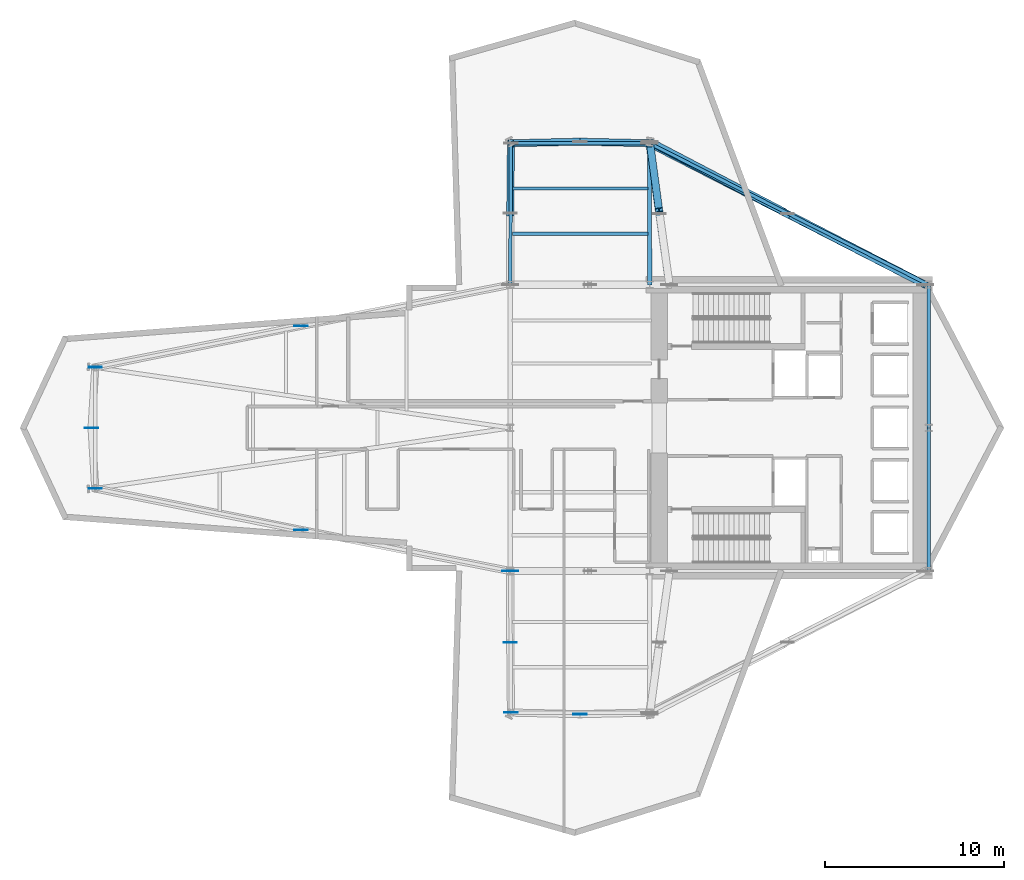
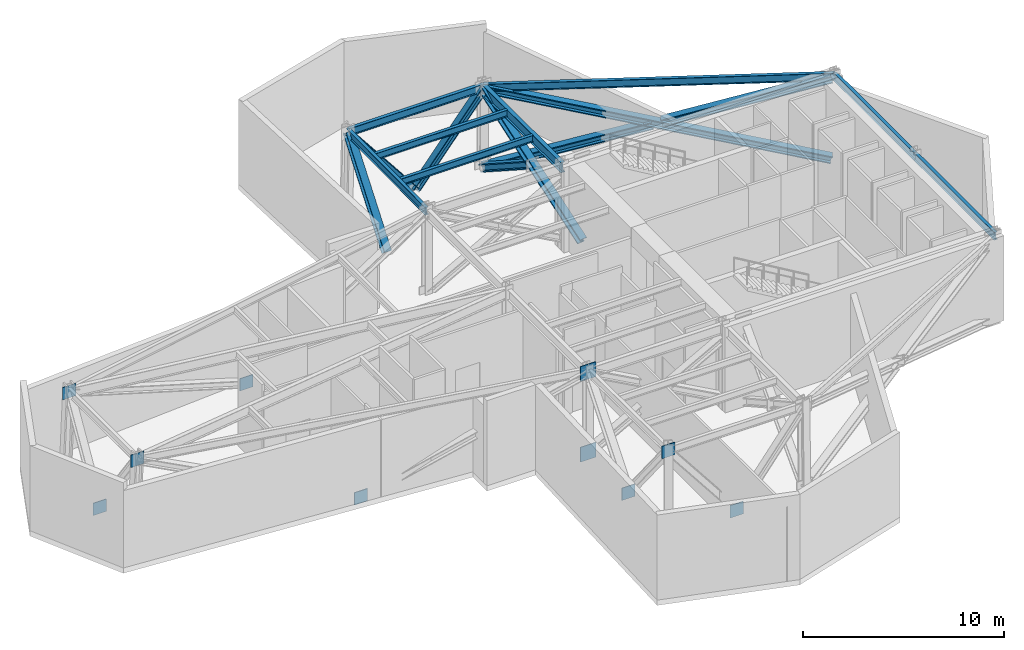
# One storey, part 2 of 7: 10 plates, 8 beams, 8 members.
"""IFC4 building model written with IfcOpenShell, lengths in metres."""

from ifc_helpers import new_model, si_unit, direction, frame, origin, origin_2d, place, context, subcontext, project, spatial, rectangle, i_section, extrude, material, layer, layer_set, material_profile, profile_set, type_object, element, save


model = new_model("IFC4")

# Units and contexts
model_context = context("Model", 3, precision=1e-05, world=origin(), true_north=direction((0.0, 1.0)))
body_context = subcontext(model_context, "Body", "Model", "MODEL_VIEW")
ifc_project = project(units=[si_unit("LENGTHUNIT", "METRE"), si_unit("AREAUNIT", "SQUARE_METRE"), si_unit("VOLUMEUNIT", "CUBIC_METRE"), si_unit("PLANEANGLEUNIT", "RADIAN"), si_unit("MASSUNIT", "GRAM", prefix="KILO")], contexts=[model_context])

# Site, building, storey
site_placement = place(None, origin())
site = spatial("IfcSite", under=ifc_project, at=site_placement, CompositionType="ELEMENT")
building_placement = place(site_placement, origin())
building = spatial("IfcBuilding", under=site, at=building_placement, Name="Veymaron Broadcast Tower", CompositionType="ELEMENT")
storey_placement = place(building_placement, frame((0.0, 0.0, 32.39990234375)))
storey = spatial("IfcBuildingStorey", under=building, at=storey_placement, Name="L06", CompositionType="ELEMENT", Elevation=32.39990234375)

# Beams
ifc_material_1 = material(Name="Structural steel ASTM A992 Gr 50", Category="steel")
ifc_material_profile_1 = material_profile(ifc_material_1, i_section(OverallWidth=0.22998046875, OverallDepth=0.616943359375, WebThickness=0.01318359375, FlangeThickness=0.022216796875, at=origin_2d()), Name="W610X140")
ifc_profile_set_1 = profile_set([ifc_material_profile_1], Name="Structural steel ASTM A992 Gr 50")
beam_type_1 = type_object("IfcBeamType", Name="BM-FG1", PredefinedType="BEAM", material=ifc_profile_set_1)
beam_1_placement = place(storey_placement, frame((39.0, 32.0, 4.8515625), z_axis=(-0.001882770823, 0.999998227585, 0.0), x_axis=(-0.999998227585, -0.001882770823, 0.0)))
element("IfcBeam", 1, at=beam_1_placement, inside=storey, type_object=beam_type_1, Name="L06 primary structural floor girder", PredefinedType="BEAM", context=body_context, shape_type="SweptSolid", body=[
    extrude(i_section(OverallWidth=0.22998046875, OverallDepth=0.616943359375, WebThickness=0.01318359375, FlangeThickness=0.022216796875, at=origin_2d()), origin(), (0.0, 0.0, 1.0), 7.909912109375),
])
ifc_material_profile_2 = material_profile(ifc_material_1, i_section(OverallWidth=0.177978515625, OverallDepth=0.406982421875, WebThickness=0.0078125, FlangeThickness=0.0126953125, at=origin_2d()), Name="W410X60")
ifc_profile_set_2 = profile_set([ifc_material_profile_2], Name="Structural steel ASTM A992 Gr 50")
beam_type_2 = type_object("IfcBeamType", Name="BM-JS1", PredefinedType="JOIST", material=ifc_profile_set_2)
beam_2_placement = place(storey_placement, frame((31.315185546875, 34.84765625, 4.95654296875), z_axis=(1.0, 0.0, 0.0), x_axis=(0.0, 1.0, 0.0)))
element("IfcBeam", 2, at=beam_2_placement, inside=storey, type_object=beam_type_2, Name="L06 Arm-B secondary joist 1", PredefinedType="JOIST", context=body_context, shape_type="SweptSolid", body=[
    extrude(i_section(OverallWidth=0.177978515625, OverallDepth=0.406982421875, WebThickness=0.0078125, FlangeThickness=0.0126953125, at=origin_2d()), origin(), (0.0, 0.0, 1.0), 7.579345703125),
])
beam_3_placement = place(storey_placement, frame((31.32861328125, 37.37890625, 4.95654296875), z_axis=(1.0, 0.0, 0.0), x_axis=(0.0, 1.0, 0.0)))
element("IfcBeam", 3, at=beam_3_placement, inside=storey, type_object=beam_type_2, Name="L06 Arm-B secondary joist 2", PredefinedType="JOIST", context=body_context, shape_type="SweptSolid", body=[
    extrude(i_section(OverallWidth=0.177978515625, OverallDepth=0.406982421875, WebThickness=0.0078125, FlangeThickness=0.0126953125, at=origin_2d()), origin(), (0.0, 0.0, 1.0), 7.561279296875),
])
ifc_material_profile_3 = material_profile(ifc_material_1, i_section(OverallWidth=0.19091796875, OverallDepth=0.4599609375, WebThickness=0.010009765625, FlangeThickness=0.01611328125, at=origin_2d()), Name="W460X82")
ifc_profile_set_3 = profile_set([ifc_material_profile_3], Name="Structural steel ASTM A992 Gr 50")
beam_type_3 = type_object("IfcBeamType", Name="BM-SP1", PredefinedType="SPANDREL", material=ifc_profile_set_3)
for number, where, z_axis, x_axis, name in (
    (4, (54.60009765625, 16.0, 4.93017578125), (0.0, 1.0, 0.0), (-1.0, 0.0, 0.0), "L06 primary structural floor girder"),
    (5, (54.60009765625, 24.0, 4.93017578125), (0.0, 1.0, 0.0), (-1.0, 0.0, 0.0), "L06 primary structural floor girder"),
):
    element("IfcBeam", number, at=place(storey_placement, frame(where, z_axis=z_axis, x_axis=x_axis)), inside=storey, type_object=beam_type_3, Name=name, PredefinedType="SPANDREL", context=body_context, shape_type="SweptSolid", body=[
        extrude(i_section(OverallWidth=0.19091796875, OverallDepth=0.4599609375, WebThickness=0.010009765625, FlangeThickness=0.01611328125, at=origin_2d()), origin(), (0.0, 0.0, 1.0), 8.0),
    ])
beam_4_placement = place(storey_placement, frame((31.199951171875, 32.0, 4.93017578125), z_axis=(0.005308731019, 0.999985908588, 0.0), x_axis=(-0.999985908588, 0.005308731019, 0.0)))
element("IfcBeam", 6, at=beam_4_placement, inside=storey, type_object=beam_type_3, Name="L06 primary structural floor girder", PredefinedType="SPANDREL", context=body_context, shape_type="SweptSolid", body=[
    extrude(i_section(OverallWidth=0.19091796875, OverallDepth=0.4599609375, WebThickness=0.010009765625, FlangeThickness=0.01611328125, at=origin_2d()), origin(), (0.0, 0.0, 1.0), 7.909912109375),
])
beam_5_placement = place(storey_placement, frame((54.60009765625, 32.0, 4.93017578125), z_axis=(-0.892074535594, 0.451888285913, 0.0), x_axis=(-0.451888285913, -0.892074535594, 0.0)))
element("IfcBeam", 7, at=beam_5_placement, inside=storey, type_object=beam_type_3, Name="L06 primary structural floor girder", PredefinedType="SPANDREL", context=body_context, shape_type="SweptSolid", body=[
    extrude(i_section(OverallWidth=0.19091796875, OverallDepth=0.4599609375, WebThickness=0.010009765625, FlangeThickness=0.01611328125, at=origin_2d()), origin(), (0.0, 0.0, 1.0), 17.504150390625),
])
beam_6_placement = place(storey_placement, frame((31.241943359375, 39.909912109375, 4.93017578125), z_axis=(1.0, 0.0, 0.0), x_axis=(0.0, 1.0, 0.0)))
element("IfcBeam", 8, at=beam_6_placement, inside=storey, type_object=beam_type_3, Name="L06 primary structural floor girder", PredefinedType="SPANDREL", context=body_context, shape_type="SweptSolid", body=[
    extrude(i_section(OverallWidth=0.19091796875, OverallDepth=0.4599609375, WebThickness=0.010009765625, FlangeThickness=0.01611328125, at=origin_2d()), origin(), (0.0, 0.0, 1.0), 7.7431640625),
])

# Members
ifc_material_2 = material(Name="Structural steel ASTM A913 Gr 65", Category="steel")
ifc_material_profile_4 = material_profile(ifc_material_2, i_section(OverallWidth=0.40087890625, OverallDepth=0.39892578125, WebThickness=0.02490234375, FlangeThickness=0.03955078125, at=origin_2d()), Name="W360X314")
ifc_profile_set_4 = profile_set([ifc_material_profile_4], Name="Structural steel ASTM A913 Gr 65")
member_type_1 = type_object("IfcMemberType", Name="MEM-BT1", PredefinedType="BRACE", material=ifc_profile_set_4)
member_1_placement = place(storey_placement, frame((35.10009765625, 40.0, 0.02001953125), z_axis=(-0.619334216474, -0.014461451995, 0.784994264126), x_axis=(0.023343633968, -0.999727500249, 0.0)))
element("IfcMember", 9, at=member_1_placement, inside=storey, type_object=member_type_1, Name="L06 Belt Truss perimeter diagonal L", PredefinedType="BRACE", context=body_context, shape_type="SweptSolid", body=[
    extrude(i_section(OverallWidth=0.40087890625, OverallDepth=0.39892578125, WebThickness=0.02490234375, FlangeThickness=0.03955078125, at=origin_2d()), origin(), (0.0, 0.0, 1.0), 6.2294921875),
])
member_2_placement = place(storey_placement, frame((35.10009765625, 40.0, 0.02001953125), z_axis=(0.621981006364, -0.014422861267, 0.78289948831), x_axis=(0.023182356085, 0.999731253071, 0.0)))
element("IfcMember", 10, at=member_2_placement, inside=storey, type_object=member_type_1, Name="L06 Belt Truss perimeter diagonal R", PredefinedType="BRACE", context=body_context, shape_type="SweptSolid", body=[
    extrude(i_section(OverallWidth=0.40087890625, OverallDepth=0.39892578125, WebThickness=0.02490234375, FlangeThickness=0.03955078125, at=origin_2d()), origin(), (0.0, 0.0, 1.0), 6.24609375),
])
member_3_placement = place(storey_placement, frame((31.199951171875, 36.0, 0.02001953125), z_axis=(0.006706732586, 0.624466990515, 0.781022405246), x_axis=(-0.999942331926, 0.010739311963, 0.0)))
element("IfcMember", 11, at=member_3_placement, inside=storey, type_object=member_type_1, Name="L06 Belt Truss perimeter diagonal R", PredefinedType="BRACE", context=body_context, shape_type="SweptSolid", body=[
    extrude(i_section(OverallWidth=0.40087890625, OverallDepth=0.39892578125, WebThickness=0.02490234375, FlangeThickness=0.03955078125, at=origin_2d()), origin(), (0.0, 0.0, 1.0), 6.26123046875),
])
ifc_material_profile_5 = material_profile(ifc_material_2, i_section(OverallWidth=0.412109375, OverallDepth=0.43505859375, WebThickness=0.035888671875, FlangeThickness=0.05810546875, at=origin_2d()), Name="W360X463")
ifc_profile_set_5 = profile_set([ifc_material_profile_5], Name="Structural steel ASTM A913 Gr 65")
member_type_2 = type_object("IfcMemberType", Name="MEM-OT1", PredefinedType="BRACE", material=ifc_profile_set_5)
member_4_placement = place(storey_placement, frame((40.10009765625, 32.0, 0.02001953125), z_axis=(-0.119045630548, 0.844528001778, 0.522111666274), x_axis=(-0.99021062567, -0.139581219403, 0.0)))
element("IfcMember", 12, at=member_4_placement, inside=storey, type_object=member_type_2, Name="L06 Outrigger continuous diagonal brace OT-B2A", PredefinedType="BRACE", context=body_context, shape_type="SweptSolid", body=[
    extrude(i_section(OverallWidth=0.412109375, OverallDepth=0.43505859375, WebThickness=0.035888671875, FlangeThickness=0.05810546875, at=origin_2d()), origin(), (0.0, 0.0, 1.0), 9.365966796875),
])
member_5_placement = place(storey_placement, frame((39.518310546875, 36.180908203125, 2.3408203125), z_axis=(-0.1152079334, 0.848891993486, -0.515858038105), x_axis=(-0.990915927433, -0.134482804701, 0.0)))
element("IfcMember", 13, at=member_5_placement, inside=storey, type_object=member_type_2, Name="L06 Outrigger split diagonal lower segment OT-B2B2", PredefinedType="BRACE", context=body_context, shape_type="SweptSolid", body=[
    extrude(i_section(OverallWidth=0.412109375, OverallDepth=0.43505859375, WebThickness=0.035888671875, FlangeThickness=0.05810546875, at=origin_2d()), origin(), (0.0, 0.0, 1.0), 4.4990234375),
])
member_6_placement = place(storey_placement, frame((54.39990234375, 32.0, 0.02001953125), z_axis=(-0.856250588128, 0.439374440595, 0.271634002442), x_axis=(-0.456540060164, -0.889702856838, 0.0)))
element("IfcMember", 14, at=member_6_placement, inside=storey, type_object=member_type_2, Name="L06 Outrigger continuous diagonal brace OT-BEA", PredefinedType="BRACE", context=body_context, shape_type="SweptSolid", body=[
    extrude(i_section(OverallWidth=0.412109375, OverallDepth=0.43505859375, WebThickness=0.035888671875, FlangeThickness=0.05810546875, at=origin_2d()), origin(), (0.0, 0.0, 1.0), 18.002685546875),
])
member_7_placement = place(storey_placement, frame((54.39990234375, 32.0, 4.91015625), z_axis=(-0.855226880041, 0.441493648378, -0.271422810569), x_axis=(-0.458713662443, -0.888584141141, 0.0)))
element("IfcMember", 15, at=member_7_placement, inside=storey, type_object=member_type_2, Name="L06 Outrigger split diagonal upper segment OT-BEB1", PredefinedType="BRACE", context=body_context, shape_type="SweptSolid", body=[
    extrude(i_section(OverallWidth=0.412109375, OverallDepth=0.43505859375, WebThickness=0.035888671875, FlangeThickness=0.05810546875, at=origin_2d()), origin(), (0.0, 0.0, 1.0), 8.76806640625),
])
member_8_placement = place(storey_placement, frame((46.4912109375, 36.083984375, 2.39990234375), z_axis=(-0.853053414234, 0.445931976415, -0.27100654028), x_axis=(-0.463268644466, -0.88621789818, 0.0)))
element("IfcMember", 16, at=member_8_placement, inside=storey, type_object=member_type_2, Name="L06 Outrigger split diagonal lower segment OT-BEB2", PredefinedType="BRACE", context=body_context, shape_type="SweptSolid", body=[
    extrude(i_section(OverallWidth=0.412109375, OverallDepth=0.43505859375, WebThickness=0.035888671875, FlangeThickness=0.05810546875, at=origin_2d()), origin(), (0.0, 0.0, 1.0), 8.78173828125),
])

# Plates
ifc_layer_1 = layer(ifc_material_2, 0.0400390625)
ifc_layer_set_1 = layer_set([ifc_layer_1], Name="Structural steel ASTM A913 Gr 65")
plate_type_1 = type_object("IfcPlateType", Name="PLT-NODE-BN1", PredefinedType="SHEET", material=ifc_layer_set_1)
for number, where, z_axis, x_axis, name in (
    (17, (7.800048828125, 24.0, -0.35498046875), (0.0, 0.0, 1.0), (1.0, 0.0, 0.0), "L06 Belt Truss apex gusset node plate BN1"),
    (18, (8.007080078125, 20.614990234375, 4.53515625), (0.0, 0.0, 1.0), (1.0, 0.0, 0.0), "L06 Belt Truss column gusset node plate BN1"),
    (19, (8.007080078125, 27.385009765625, 4.53515625), (0.0, 0.0, 1.0), (1.0, 0.0, 0.0), "L06 Belt Truss column gusset node plate BN1"),
    (20, (35.10009765625, 8.0, -0.35498046875), (0.0, 0.0, 1.0), (1.0, 0.0, 0.0), "L06 Belt Truss apex gusset node plate BN1"),
    (21, (31.241943359375, 8.090087890625, 4.53515625), (0.0, 0.0, 1.0), (1.0, 0.0, 0.0), "L06 Belt Truss column gusset node plate BN1"),
    (22, (19.5, 29.699951171875, -0.35498046875), (0.0, 0.0, 1.0), (1.0, 0.0, 0.0), "L06 Belt Truss apex gusset node plate BN1"),
    (23, (19.5, 18.300048828125, -0.35498046875), (0.0, 0.0, 1.0), (1.0, 0.0, 0.0), "L06 Belt Truss apex gusset node plate BN1"),
    (24, (31.199951171875, 12.0, -0.35498046875), (0.0, 0.0, 1.0), (1.0, 0.0, 0.0), "L06 Belt Truss apex gusset node plate BN1"),
):
    element("IfcPlate", number, at=place(storey_placement, frame(where, z_axis=z_axis, x_axis=x_axis)), inside=storey, type_object=plate_type_1, Name=name, PredefinedType="SHEET", context=body_context, shape_type="SweptSolid", body=[
        extrude(rectangle(XDim=0.75, YDim=0.0400390625, at=origin_2d()), origin(), (0.0, 0.0, 1.0), 0.75),
    ])
ifc_layer_2 = layer(ifc_material_2, 0.044921875)
ifc_layer_set_2 = layer_set([ifc_layer_2], Name="Structural steel ASTM A913 Gr 65")
plate_type_2 = type_object("IfcPlateType", Name="PLT-NODE-ON1", PredefinedType="SHEET", material=ifc_layer_set_2)
for number, where, z_axis, x_axis, name in (
    (25, (31.199951171875, 16.0, 4.460205078125), (0.0, 0.0, 1.0), (1.0, 0.0, 0.0), "L06 Outrigger end gusset node plate ON1"),
    (26, (31.199951171875, 16.0, -0.429931640625), (0.0, 0.0, 1.0), (1.0, 0.0, 0.0), "L06 Outrigger end gusset node plate ON1"),
):
    element("IfcPlate", number, at=place(storey_placement, frame(where, z_axis=z_axis, x_axis=x_axis)), inside=storey, type_object=plate_type_2, Name=name, PredefinedType="SHEET", context=body_context, shape_type="SweptSolid", body=[
        extrude(rectangle(XDim=0.89990234375, YDim=0.044921875, at=origin_2d()), origin(), (0.0, 0.0, 1.0), 0.89990234375),
    ])

save(model, "model.ifc")
